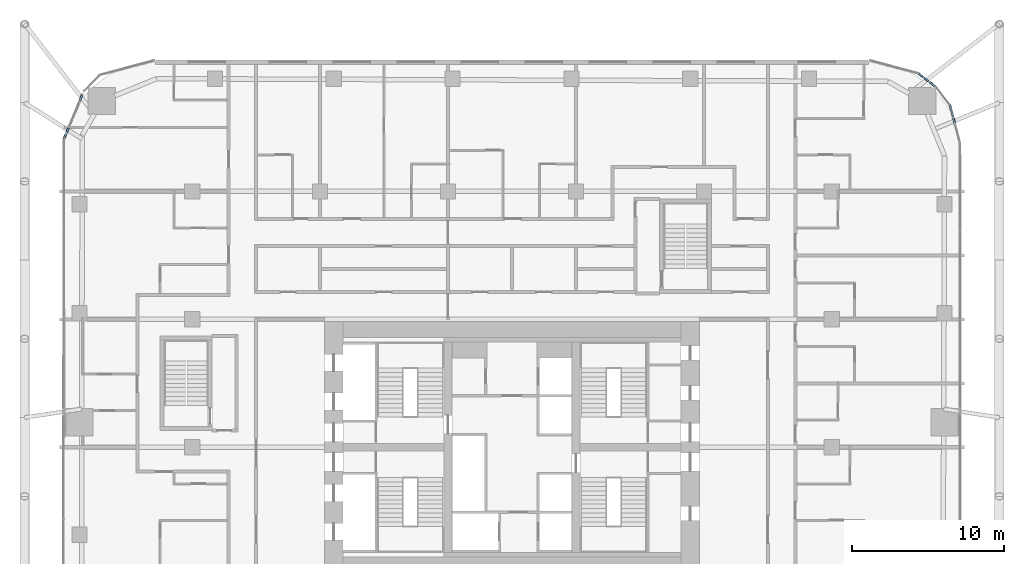
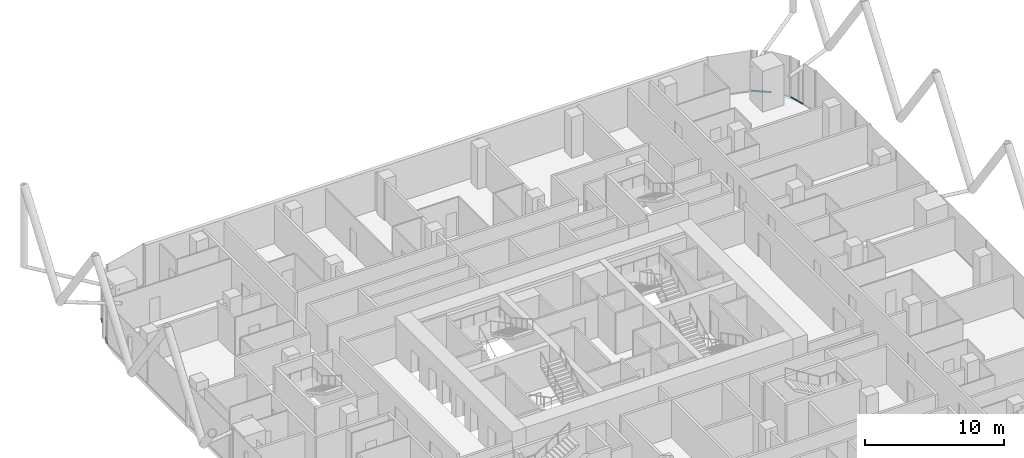
# One storey, part 18 of 38: 8 members, 8 elements without a shape of their own.
"""IFC4 building model written with IfcOpenShell, lengths in metres."""

from ifc_helpers import new_model, si_unit, direction, frame, origin, origin_2d, place, context, subcontext, project, spatial, rectangle, extrude, material, layer, layer_set, material_profile, profile_set, type_object, element, aggregate, save


model = new_model("IFC4")

# Units and contexts
model_context = context("Model", 3, precision=1e-05, world=origin(), true_north=direction((0.0, 1.0)))
body_context = subcontext(model_context, "Body", "Model", "MODEL_VIEW")
ifc_project = project(units=[si_unit("LENGTHUNIT", "METRE"), si_unit("AREAUNIT", "SQUARE_METRE"), si_unit("VOLUMEUNIT", "CUBIC_METRE"), si_unit("PLANEANGLEUNIT", "RADIAN"), si_unit("MASSUNIT", "GRAM", prefix="KILO")], contexts=[model_context])

# Site, building, storey
site_placement = place(None, origin())
site = spatial("IfcSite", under=ifc_project, at=site_placement, CompositionType="ELEMENT")
building_placement = place(site_placement, origin())
building = spatial("IfcBuilding", under=site, at=building_placement, Name="Marenta Gate Hotel Tower", CompositionType="ELEMENT")
storey_placement = place(building_placement, frame((0.0, 0.0, 68.89990234375)))
storey = spatial("IfcBuildingStorey", under=building, at=storey_placement, Name="L15", CompositionType="ELEMENT", Elevation=68.89990234375)

# Curtain wall, member
ifc_material_1 = material(Name="Tinted insulated glass in bronze anodised frame", Category="glass")
ifc_layer = layer(ifc_material_1, 0.1201171875)
ifc_layer_set = layer_set([ifc_layer], Name="Tinted insulated glass in bronze anodised frame")
curtain_wall_type = type_object("IfcCurtainWallType", Name="Tower unitised curtain wall CW1", PredefinedType="NOTDEFINED", material=ifc_layer_set)
curtain_wall_1_placement = place(storey_placement, origin())
curtain_wall_1 = element("IfcCurtainWall", 1, at=curtain_wall_1_placement, inside=storey, type_object=curtain_wall_type, Name="CW1 run G02", PredefinedType="NOTDEFINED")
ifc_material_2 = material(Name="Bronze anodised aluminium", Category="aluminium")
ifc_material_profile = material_profile(ifc_material_2, rectangle(XDim=0.1201171875, YDim=0.06005859375, at=origin_2d()), Name="Transom CW1 60x120 bronze anodised aluminium")
ifc_profile_set = profile_set([ifc_material_profile], Name="Bronze anodised aluminium")
member_type = type_object("IfcMemberType", Name="Transom CW1 60x120 bronze anodised aluminium", PredefinedType="USERDEFINED", material=ifc_profile_set)
member_1_placement = place(storey_placement, frame((-28.208984375, 31.5712890625, 0.030029296875), z_axis=(-0.382927081121, -0.923778572248, 0.0), x_axis=(0.923778572248, -0.382927081121, 0.0)))
member_1 = element("IfcMember", 2, at=member_1_placement, type_object=member_type, Name="CW1 transom 1.1", ObjectType="TRANSOM", PredefinedType="USERDEFINED", context=body_context, shape_type="SweptSolid", body=[
    extrude(rectangle(XDim=0.1201171875, YDim=0.06005859375, at=origin_2d()), origin(), (0.0, 0.0, 1.0), 0.462158203125),
])
aggregate(curtain_wall_1, [member_1])

curtain_wall_2_placement = place(storey_placement, origin())
curtain_wall_2 = element("IfcCurtainWall", 3, at=curtain_wall_2_placement, inside=storey, type_object=curtain_wall_type, Name="CW1 run G04", PredefinedType="NOTDEFINED")
member_2_placement = place(storey_placement, frame((-29.108154296875, 29.400390625, 0.030029296875), z_axis=(-0.382837108959, -0.923815862607, 0.0), x_axis=(0.923815862607, -0.382837108959, 0.0)))
member_2 = element("IfcMember", 4, at=member_2_placement, type_object=member_type, Name="CW1 transom 1.1", ObjectType="TRANSOM", PredefinedType="USERDEFINED", context=body_context, shape_type="SweptSolid", body=[
    extrude(rectangle(XDim=0.1201171875, YDim=0.06005859375, at=origin_2d()), origin(), (0.0, 0.0, 1.0), 0.39990234375),
])
aggregate(curtain_wall_2, [member_2])

curtain_wall_3_placement = place(storey_placement, origin())
curtain_wall_3 = element("IfcCurtainWall", 5, at=curtain_wall_3_placement, inside=storey, type_object=curtain_wall_type, Name="CW1 run G05", PredefinedType="NOTDEFINED")
member_3_placement = place(storey_placement, frame((-29.2841796875, 28.9755859375, 0.030029296875), z_axis=(-0.382802560388, -0.92383017907, 0.0), x_axis=(0.92383017907, -0.382802560388, 0.0)))
member_3 = element("IfcMember", 6, at=member_3_placement, type_object=member_type, Name="CW1 transom 1.1", ObjectType="TRANSOM", PredefinedType="USERDEFINED", context=body_context, shape_type="SweptSolid", body=[
    extrude(rectangle(XDim=0.1201171875, YDim=0.06005859375, at=origin_2d()), origin(), (0.0, 0.0, 1.0), 0.334716796875),
])
aggregate(curtain_wall_3, [member_3])

curtain_wall_4_placement = place(storey_placement, origin())
curtain_wall_4 = element("IfcCurtainWall", 7, at=curtain_wall_4_placement, inside=storey, type_object=curtain_wall_type, Name="CW1 run G36", PredefinedType="NOTDEFINED")
member_4_placement = place(storey_placement, frame((29.075927734375, 29.653564453125, 0.030029296875), z_axis=(-0.258582209755, 0.965989255012, 0.0), x_axis=(-0.965989255012, -0.258582209755, 0.0)))
member_4 = element("IfcMember", 8, at=member_4_placement, type_object=member_type, Name="CW1 transom 1.1", ObjectType="TRANSOM", PredefinedType="USERDEFINED", context=body_context, shape_type="SweptSolid", body=[
    extrude(rectangle(XDim=0.1201171875, YDim=0.06005859375, at=origin_2d()), origin(), (0.0, 0.0, 1.0), 0.396484375),
])
aggregate(curtain_wall_4, [member_4])

curtain_wall_5_placement = place(storey_placement, origin())
curtain_wall_5 = element("IfcCurtainWall", 9, at=curtain_wall_5_placement, inside=storey, type_object=curtain_wall_type, Name="CW1 run G37", PredefinedType="NOTDEFINED")
member_5_placement = place(storey_placement, frame((28.957763671875, 30.094482421875, 0.030029296875), z_axis=(-0.258919656878, 0.965898861829, 0.0), x_axis=(-0.965898861829, -0.258919656878, 0.0)))
member_5 = element("IfcMember", 10, at=member_5_placement, type_object=member_type, Name="CW1 transom 1.1", ObjectType="TRANSOM", PredefinedType="USERDEFINED", context=body_context, shape_type="SweptSolid", body=[
    extrude(rectangle(XDim=0.1201171875, YDim=0.06005859375, at=origin_2d()), origin(), (0.0, 0.0, 1.0), 0.797607421875),
])
aggregate(curtain_wall_5, [member_5])

curtain_wall_6_placement = place(storey_placement, origin())
curtain_wall_6 = element("IfcCurtainWall", 11, at=curtain_wall_6_placement, inside=storey, type_object=curtain_wall_type, Name="CW1 run G39", PredefinedType="NOTDEFINED")
member_6_placement = place(storey_placement, frame((27.7978515625, 32.08203125, 0.030029296875), z_axis=(-0.793224248978, 0.60892962716, 0.0), x_axis=(-0.60892962716, -0.793224248978, 0.0)))
member_6 = element("IfcMember", 12, at=member_6_placement, type_object=member_type, Name="CW1 transom 1.1", ObjectType="TRANSOM", PredefinedType="USERDEFINED", context=body_context, shape_type="SweptSolid", body=[
    extrude(rectangle(XDim=0.1201171875, YDim=0.06005859375, at=origin_2d()), origin(), (0.0, 0.0, 1.0), 0.483642578125),
])
aggregate(curtain_wall_6, [member_6])

curtain_wall_7_placement = place(storey_placement, origin())
curtain_wall_7 = element("IfcCurtainWall", 13, at=curtain_wall_7_placement, inside=storey, type_object=curtain_wall_type, Name="CW1 run G40", PredefinedType="NOTDEFINED")
member_7_placement = place(storey_placement, frame((27.36669921875, 32.412841796875, 0.030029296875), z_axis=(-0.793356294792, 0.608757578609, 0.0), x_axis=(-0.608757578609, -0.793356294792, 0.0)))
member_7 = element("IfcMember", 14, at=member_7_placement, type_object=member_type, Name="CW1 transom 1.1", ObjectType="TRANSOM", PredefinedType="USERDEFINED", context=body_context, shape_type="SweptSolid", body=[
    extrude(rectangle(XDim=0.1201171875, YDim=0.06005859375, at=origin_2d()), origin(), (0.0, 0.0, 1.0), 0.40869140625),
])
aggregate(curtain_wall_7, [member_7])

curtain_wall_8_placement = place(storey_placement, origin())
curtain_wall_8 = element("IfcCurtainWall", 15, at=curtain_wall_8_placement, inside=storey, type_object=curtain_wall_type, Name="CW1 run G41", PredefinedType="NOTDEFINED")
member_8_placement = place(storey_placement, frame((26.994873046875, 32.6982421875, 0.030029296875), z_axis=(-0.793256562422, 0.60888753163, 0.0), x_axis=(-0.60888753163, -0.793256562422, 0.0)))
member_8 = element("IfcMember", 16, at=member_8_placement, type_object=member_type, Name="CW1 transom 1.1", ObjectType="TRANSOM", PredefinedType="USERDEFINED", context=body_context, shape_type="SweptSolid", body=[
    extrude(rectangle(XDim=0.1201171875, YDim=0.06005859375, at=origin_2d()), origin(), (0.0, 0.0, 1.0), 0.415771484375),
])
aggregate(curtain_wall_8, [member_8])

save(model, "model.ifc")
